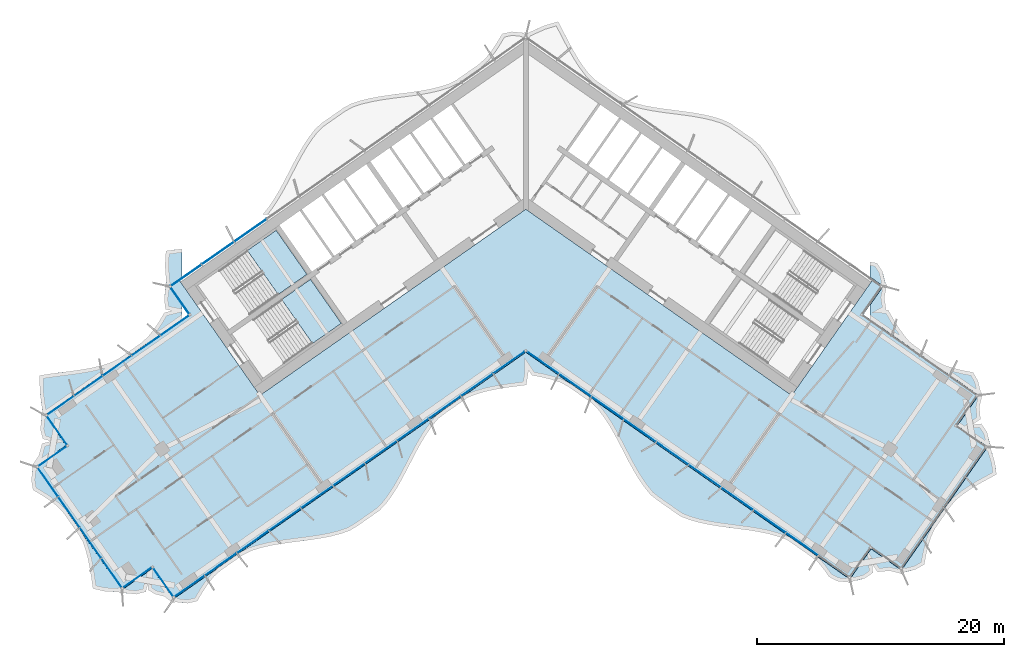
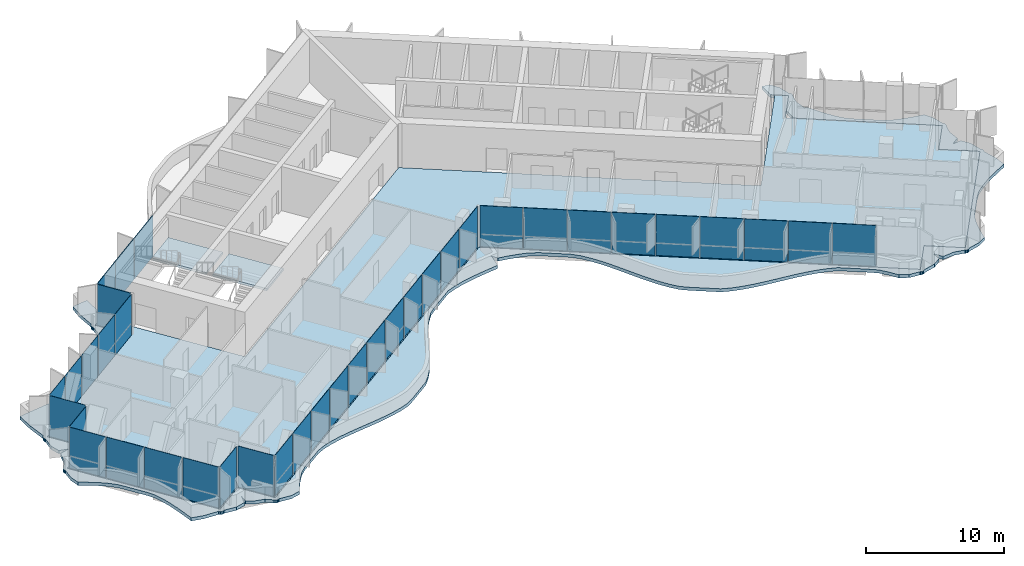
# One storey, part 10 of 21: 37 plates, 4 slabs, 4 elements without a shape of their own.
"""IFC4 building model written with IfcOpenShell, lengths in metres."""

from ifc_helpers import new_model, si_unit, direction, frame, origin, origin_2d, place, context, subcontext, project, spatial, polyline, rectangle, outline, extrude, material, layer, layer_set, type_object, element, aggregate, save


model = new_model("IFC4")

# Units and contexts
model_context = context("Model", 3, precision=1e-05, world=origin(), true_north=direction((0.0, 1.0)))
body_context = subcontext(model_context, "Body", "Model", "MODEL_VIEW")
ifc_project = project(units=[si_unit("LENGTHUNIT", "METRE"), si_unit("AREAUNIT", "SQUARE_METRE"), si_unit("VOLUMEUNIT", "CUBIC_METRE"), si_unit("PLANEANGLEUNIT", "RADIAN"), si_unit("MASSUNIT", "GRAM", prefix="KILO")], contexts=[model_context])

# Site, building, storey
site_placement = place(None, origin())
site = spatial("IfcSite", under=ifc_project, at=site_placement, CompositionType="ELEMENT")
building_placement = place(site_placement, origin())
building = spatial("IfcBuilding", under=site, at=building_placement, Name="Tel Ilan Convention Tower", CompositionType="ELEMENT")
storey_placement = place(building_placement, frame((0.0, 0.0, 163.199951171875)))
storey = spatial("IfcBuildingStorey", under=building, at=storey_placement, Name="L37", CompositionType="ELEMENT", Elevation=163.199951171875)

# Curtain wall, plates
ifc_material_1 = material(Name="Aluminium, bronze anodised", Category="aluminium")
curtain_wall_type_1 = type_object("IfcCurtainWallType", Name="CW4 STICK CURTAIN WALL, OFFICE TINTED GLASS", PredefinedType="NOTDEFINED", material=ifc_material_1)
curtain_wall_1_placement = place(storey_placement, origin())
curtain_wall_1 = element("IfcCurtainWall", 1, at=curtain_wall_1_placement, inside=storey, type_object=curtain_wall_type_1, Name="Curtain wall CW4-29.02", PredefinedType="NOTDEFINED")
ifc_material_2 = material(Name="Glass, bronze tinted, two-ply", Category="glass")
ifc_layer_1 = layer(ifc_material_2, 0.028076171875)
ifc_layer_set_1 = layer_set([ifc_layer_1], Name="CW GLASS PANEL 28")
plate_type_1 = type_object("IfcPlateType", Name="CW GLASS PANEL 28", PredefinedType="CURTAIN_PANEL", material=ifc_layer_set_1)
plate_1_placement = place(storey_placement, frame((-28.44677734375, -10.640625, 0.0), z_axis=(0.0, 0.0, 1.0), x_axis=(-0.819152044289, -0.573576436351, 0.0)))
plate_1 = element("IfcPlate", 2, at=plate_1_placement, type_object=plate_type_1, Name="Glass panel", PredefinedType="CURTAIN_PANEL", context=body_context, shape_type="SweptSolid", body=[
    extrude(rectangle(XDim=2.80908203125, YDim=0.028076171875, at=origin_2d()), origin(), (0.0, 0.0, 1.0), 3.6201171875),
])
plate_2_placement = place(storey_placement, frame((-30.784912109375, -12.278076171875, 0.0), z_axis=(0.0, 0.0, 1.0), x_axis=(-0.819152044289, -0.573576436351, 0.0)))
plate_2 = element("IfcPlate", 3, at=plate_2_placement, type_object=plate_type_1, Name="Glass panel", PredefinedType="CURTAIN_PANEL", context=body_context, shape_type="SweptSolid", body=[
    extrude(rectangle(XDim=2.780029296875, YDim=0.028076171875, at=origin_2d()), origin(), (0.0, 0.0, 1.0), 3.6201171875),
])
plate_3_placement = place(storey_placement, frame((-33.111328125, -13.906982421875, 0.0), z_axis=(0.0, 0.0, 1.0), x_axis=(-0.819152044289, -0.573576436351, 0.0)))
plate_3 = element("IfcPlate", 4, at=plate_3_placement, type_object=plate_type_1, Name="Glass panel", PredefinedType="CURTAIN_PANEL", context=body_context, shape_type="SweptSolid", body=[
    extrude(rectangle(XDim=2.780029296875, YDim=0.028076171875, at=origin_2d()), origin(), (0.0, 0.0, 1.0), 3.6201171875),
])
plate_4_placement = place(storey_placement, frame((-35.437744140625, -15.535888671875, 0.0), z_axis=(0.0, 0.0, 1.0), x_axis=(-0.819152044289, -0.573576436351, 0.0)))
plate_4 = element("IfcPlate", 5, at=plate_4_placement, type_object=plate_type_1, Name="Glass panel", PredefinedType="CURTAIN_PANEL", context=body_context, shape_type="SweptSolid", body=[
    extrude(rectangle(XDim=2.780029296875, YDim=0.028076171875, at=origin_2d()), origin(), (0.0, 0.0, 1.0), 3.6201171875),
])
plate_5_placement = place(storey_placement, frame((-37.7255859375, -17.137939453125, 0.0), z_axis=(0.0, 0.0, 1.0), x_axis=(-0.819152044289, -0.573576436351, 0.0)))
plate_5 = element("IfcPlate", 6, at=plate_5_placement, type_object=plate_type_1, Name="Glass panel", PredefinedType="CURTAIN_PANEL", context=body_context, shape_type="SweptSolid", body=[
    extrude(rectangle(XDim=2.68603515625, YDim=0.028076171875, at=origin_2d()), origin(), (0.0, 0.0, 1.0), 3.6201171875),
])
plate_6_placement = place(storey_placement, frame((-38.007080078125, -19.119140625, 0.0), z_axis=(0.0, 0.0, 1.0), x_axis=(0.573576436351, -0.819152044289, 0.0)))
plate_6 = element("IfcPlate", 7, at=plate_6_placement, type_object=plate_type_1, Name="Glass panel", PredefinedType="CURTAIN_PANEL", context=body_context, shape_type="SweptSolid", body=[
    extrude(rectangle(XDim=2.875, YDim=0.028076171875, at=origin_2d()), origin(), (0.0, 0.0, 1.0), 3.6201171875),
])
plate_7_placement = place(storey_placement, frame((-38.385009765625, -21.261962890625, 0.0), z_axis=(0.0, 0.0, 1.0), x_axis=(-0.819152044289, -0.573576436351, 0.0)))
plate_7 = element("IfcPlate", 8, at=plate_7_placement, type_object=plate_type_1, Name="Glass panel", PredefinedType="CURTAIN_PANEL", context=body_context, shape_type="SweptSolid", body=[
    extrude(rectangle(XDim=2.875, YDim=0.028076171875, at=origin_2d()), origin(), (0.0, 0.0, 1.0), 3.6201171875),
])
plate_8_placement = place(storey_placement, frame((-38.73779296875, -23.305908203125, 0.0), z_axis=(0.0, 0.0, 1.0), x_axis=(0.573576436351, -0.819152044289, 0.0)))
plate_8 = element("IfcPlate", 9, at=plate_8_placement, type_object=plate_type_1, Name="Glass panel", PredefinedType="CURTAIN_PANEL", context=body_context, shape_type="SweptSolid", body=[
    extrude(rectangle(XDim=2.89599609375, YDim=0.028076171875, at=origin_2d()), origin(), (0.0, 0.0, 1.0), 3.6201171875),
])
plate_9_placement = place(storey_placement, frame((-37.015380859375, -25.765869140625, 0.0), z_axis=(0.0, 0.0, 1.0), x_axis=(0.573576436351, -0.819152044289, 0.0)))
plate_9 = element("IfcPlate", 10, at=plate_9_placement, type_object=plate_type_1, Name="Glass panel", PredefinedType="CURTAIN_PANEL", context=body_context, shape_type="SweptSolid", body=[
    extrude(rectangle(XDim=2.989990234375, YDim=0.028076171875, at=origin_2d()), origin(), (0.0, 0.0, 1.0), 3.6201171875),
])
plate_10_placement = place(storey_placement, frame((-35.26611328125, -28.264404296875, 0.0), z_axis=(0.0, 0.0, 1.0), x_axis=(0.573576436351, -0.819152044289, 0.0)))
plate_10 = element("IfcPlate", 11, at=plate_10_placement, type_object=plate_type_1, Name="Glass panel", PredefinedType="CURTAIN_PANEL", context=body_context, shape_type="SweptSolid", body=[
    extrude(rectangle(XDim=2.989990234375, YDim=0.028076171875, at=origin_2d()), origin(), (0.0, 0.0, 1.0), 3.6201171875),
])
plate_11_placement = place(storey_placement, frame((-33.543701171875, -30.72412109375, 0.0), z_axis=(0.0, 0.0, 1.0), x_axis=(0.573576436351, -0.819152044289, 0.0)))
plate_11 = element("IfcPlate", 12, at=plate_11_placement, type_object=plate_type_1, Name="Glass panel", PredefinedType="CURTAIN_PANEL", context=body_context, shape_type="SweptSolid", body=[
    extrude(rectangle(XDim=2.89599609375, YDim=0.028076171875, at=origin_2d()), origin(), (0.0, 0.0, 1.0), 3.6201171875),
])
plate_12_placement = place(storey_placement, frame((-31.502197265625, -31.091796875, 0.0), z_axis=(0.0, 0.0, 1.0), x_axis=(0.819152044289, 0.573576436351, 0.0)))
plate_12 = element("IfcPlate", 13, at=plate_12_placement, type_object=plate_type_1, Name="Glass panel", PredefinedType="CURTAIN_PANEL", context=body_context, shape_type="SweptSolid", body=[
    extrude(rectangle(XDim=2.875, YDim=0.028076171875, at=origin_2d()), origin(), (0.0, 0.0, 1.0), 3.6201171875),
])
plate_13_placement = place(storey_placement, frame((-29.359375, -31.469482421875, 0.0), z_axis=(0.0, 0.0, 1.0), x_axis=(0.573576436351, -0.819152044289, 0.0)))
plate_13 = element("IfcPlate", 14, at=plate_13_placement, type_object=plate_type_1, Name="Glass panel", PredefinedType="CURTAIN_PANEL", context=body_context, shape_type="SweptSolid", body=[
    extrude(rectangle(XDim=2.875, YDim=0.028076171875, at=origin_2d()), origin(), (0.0, 0.0, 1.0), 3.6201171875),
])
plate_14_placement = place(storey_placement, frame((-27.26708984375, -31.78857421875, 0.0), z_axis=(0.0, 0.0, 1.0), x_axis=(0.819152044289, 0.573576436351, 0.0)))
plate_14 = element("IfcPlate", 15, at=plate_14_placement, type_object=plate_type_1, Name="Glass panel", PredefinedType="CURTAIN_PANEL", context=body_context, shape_type="SweptSolid", body=[
    extrude(rectangle(XDim=3.013916015625, YDim=0.028076171875, at=origin_2d()), origin(), (0.0, 0.0, 1.0), 3.6201171875),
])
plate_15_placement = place(storey_placement, frame((-24.71044921875, -29.99853515625, 0.0), z_axis=(0.0, 0.0, 1.0), x_axis=(0.819152044289, 0.573576436351, 0.0)))
plate_15 = element("IfcPlate", 16, at=plate_15_placement, type_object=plate_type_1, Name="Glass panel", PredefinedType="CURTAIN_PANEL", context=body_context, shape_type="SweptSolid", body=[
    extrude(rectangle(XDim=3.10791015625, YDim=0.028076171875, at=origin_2d()), origin(), (0.0, 0.0, 1.0), 3.6201171875),
])
plate_16_placement = place(storey_placement, frame((-22.115478515625, -28.181396484375, 0.0), z_axis=(0.0, 0.0, 1.0), x_axis=(0.819152044289, 0.573576436351, 0.0)))
plate_16 = element("IfcPlate", 17, at=plate_16_placement, type_object=plate_type_1, Name="Glass panel", PredefinedType="CURTAIN_PANEL", context=body_context, shape_type="SweptSolid", body=[
    extrude(rectangle(XDim=3.10791015625, YDim=0.028076171875, at=origin_2d()), origin(), (0.0, 0.0, 1.0), 3.6201171875),
])
plate_17_placement = place(storey_placement, frame((-19.520263671875, -26.3642578125, 0.0), z_axis=(0.0, 0.0, 1.0), x_axis=(0.819152044289, 0.573576436351, 0.0)))
plate_17 = element("IfcPlate", 18, at=plate_17_placement, type_object=plate_type_1, Name="Glass panel", PredefinedType="CURTAIN_PANEL", context=body_context, shape_type="SweptSolid", body=[
    extrude(rectangle(XDim=3.10791015625, YDim=0.028076171875, at=origin_2d()), origin(), (0.0, 0.0, 1.0), 3.6201171875),
])
plate_18_placement = place(storey_placement, frame((-16.92529296875, -24.54736328125, 0.0), z_axis=(0.0, 0.0, 1.0), x_axis=(0.819152044289, 0.573576436351, 0.0)))
plate_18 = element("IfcPlate", 19, at=plate_18_placement, type_object=plate_type_1, Name="Glass panel", PredefinedType="CURTAIN_PANEL", context=body_context, shape_type="SweptSolid", body=[
    extrude(rectangle(XDim=3.10791015625, YDim=0.028076171875, at=origin_2d()), origin(), (0.0, 0.0, 1.0), 3.6201171875),
])
plate_19_placement = place(storey_placement, frame((-14.330078125, -22.730224609375, 0.0), z_axis=(0.0, 0.0, 1.0), x_axis=(0.819152044289, 0.573576436351, 0.0)))
plate_19 = element("IfcPlate", 20, at=plate_19_placement, type_object=plate_type_1, Name="Glass panel", PredefinedType="CURTAIN_PANEL", context=body_context, shape_type="SweptSolid", body=[
    extrude(rectangle(XDim=3.10791015625, YDim=0.028076171875, at=origin_2d()), origin(), (0.0, 0.0, 1.0), 3.6201171875),
])
plate_20_placement = place(storey_placement, frame((-11.735107421875, -20.9130859375, 0.0), z_axis=(0.0, 0.0, 1.0), x_axis=(0.819152044289, 0.573576436351, 0.0)))
plate_20 = element("IfcPlate", 21, at=plate_20_placement, type_object=plate_type_1, Name="Glass panel", PredefinedType="CURTAIN_PANEL", context=body_context, shape_type="SweptSolid", body=[
    extrude(rectangle(XDim=3.10791015625, YDim=0.028076171875, at=origin_2d()), origin(), (0.0, 0.0, 1.0), 3.6201171875),
])
plate_21_placement = place(storey_placement, frame((-9.14013671875, -19.095947265625, 0.0), z_axis=(0.0, 0.0, 1.0), x_axis=(0.819152044289, 0.573576436351, 0.0)))
plate_21 = element("IfcPlate", 22, at=plate_21_placement, type_object=plate_type_1, Name="Glass panel", PredefinedType="CURTAIN_PANEL", context=body_context, shape_type="SweptSolid", body=[
    extrude(rectangle(XDim=3.10791015625, YDim=0.028076171875, at=origin_2d()), origin(), (0.0, 0.0, 1.0), 3.6201171875),
])
plate_22_placement = place(storey_placement, frame((-6.544921875, -17.27880859375, 0.0), z_axis=(0.0, 0.0, 1.0), x_axis=(0.819152044289, 0.573576436351, 0.0)))
plate_22 = element("IfcPlate", 23, at=plate_22_placement, type_object=plate_type_1, Name="Glass panel", PredefinedType="CURTAIN_PANEL", context=body_context, shape_type="SweptSolid", body=[
    extrude(rectangle(XDim=3.10791015625, YDim=0.028076171875, at=origin_2d()), origin(), (0.0, 0.0, 1.0), 3.6201171875),
])
plate_23_placement = place(storey_placement, frame((-3.949951171875, -15.4619140625, 0.0), z_axis=(0.0, 0.0, 1.0), x_axis=(0.819152044289, 0.573576436351, 0.0)))
plate_23 = element("IfcPlate", 24, at=plate_23_placement, type_object=plate_type_1, Name="Glass panel", PredefinedType="CURTAIN_PANEL", context=body_context, shape_type="SweptSolid", body=[
    extrude(rectangle(XDim=3.10791015625, YDim=0.028076171875, at=origin_2d()), origin(), (0.0, 0.0, 1.0), 3.6201171875),
])
plate_24_placement = place(storey_placement, frame((-1.355224609375, -13.64501953125, 0.0), z_axis=(0.0, 0.0, 1.0), x_axis=(0.819152044289, 0.573576436351, 0.0)))
plate_24 = element("IfcPlate", 25, at=plate_24_placement, type_object=plate_type_1, Name="Glass panel", PredefinedType="CURTAIN_PANEL", context=body_context, shape_type="SweptSolid", body=[
    extrude(rectangle(XDim=3.10693359375, YDim=0.028076171875, at=origin_2d()), origin(), (0.0, 0.0, 1.0), 3.6201171875),
])
plate_25_placement = place(storey_placement, frame((1.3818359375, -13.66357421875, 0.0), z_axis=(0.0, 0.0, 1.0), x_axis=(0.819152044289, -0.573576436351, 0.0)))
plate_25 = element("IfcPlate", 26, at=plate_25_placement, type_object=plate_type_1, Name="Glass panel", PredefinedType="CURTAIN_PANEL", context=body_context, shape_type="SweptSolid", body=[
    extrude(rectangle(XDim=3.11572265625, YDim=0.028076171875, at=origin_2d()), origin(), (0.0, 0.0, 1.0), 3.6201171875),
])
plate_26_placement = place(storey_placement, frame((3.9951171875, -15.493408203125, 0.0), z_axis=(0.0, 0.0, 1.0), x_axis=(0.819152044289, -0.573576436351, 0.0)))
plate_26 = element("IfcPlate", 27, at=plate_26_placement, type_object=plate_type_1, Name="Glass panel", PredefinedType="CURTAIN_PANEL", context=body_context, shape_type="SweptSolid", body=[
    extrude(rectangle(XDim=3.144775390625, YDim=0.028076171875, at=origin_2d()), origin(), (0.0, 0.0, 1.0), 3.6201171875),
])
plate_27_placement = place(storey_placement, frame((6.620361328125, -17.331787109375, 0.0), z_axis=(0.0, 0.0, 1.0), x_axis=(0.819152044289, -0.573576436351, 0.0)))
plate_27 = element("IfcPlate", 28, at=plate_27_placement, type_object=plate_type_1, Name="Glass panel", PredefinedType="CURTAIN_PANEL", context=body_context, shape_type="SweptSolid", body=[
    extrude(rectangle(XDim=3.144775390625, YDim=0.028076171875, at=origin_2d()), origin(), (0.0, 0.0, 1.0), 3.6201171875),
])
plate_28_placement = place(storey_placement, frame((9.24560546875, -19.169921875, 0.0), z_axis=(0.0, 0.0, 1.0), x_axis=(0.819152044289, -0.573576436351, 0.0)))
plate_28 = element("IfcPlate", 29, at=plate_28_placement, type_object=plate_type_1, Name="Glass panel", PredefinedType="CURTAIN_PANEL", context=body_context, shape_type="SweptSolid", body=[
    extrude(rectangle(XDim=3.144775390625, YDim=0.028076171875, at=origin_2d()), origin(), (0.0, 0.0, 1.0), 3.6201171875),
])
plate_29_placement = place(storey_placement, frame((11.870849609375, -21.008056640625, 0.0), z_axis=(0.0, 0.0, 1.0), x_axis=(0.819152044289, -0.573576436351, 0.0)))
plate_29 = element("IfcPlate", 30, at=plate_29_placement, type_object=plate_type_1, Name="Glass panel", PredefinedType="CURTAIN_PANEL", context=body_context, shape_type="SweptSolid", body=[
    extrude(rectangle(XDim=3.144775390625, YDim=0.028076171875, at=origin_2d()), origin(), (0.0, 0.0, 1.0), 3.6201171875),
])
plate_30_placement = place(storey_placement, frame((14.49609375, -22.84619140625, 0.0), z_axis=(0.0, 0.0, 1.0), x_axis=(0.819152044289, -0.573576436351, 0.0)))
plate_30 = element("IfcPlate", 31, at=plate_30_placement, type_object=plate_type_1, Name="Glass panel", PredefinedType="CURTAIN_PANEL", context=body_context, shape_type="SweptSolid", body=[
    extrude(rectangle(XDim=3.144775390625, YDim=0.028076171875, at=origin_2d()), origin(), (0.0, 0.0, 1.0), 3.6201171875),
])
plate_31_placement = place(storey_placement, frame((17.12109375, -24.684326171875, 0.0), z_axis=(0.0, 0.0, 1.0), x_axis=(0.819152044289, -0.573576436351, 0.0)))
plate_31 = element("IfcPlate", 32, at=plate_31_placement, type_object=plate_type_1, Name="Glass panel", PredefinedType="CURTAIN_PANEL", context=body_context, shape_type="SweptSolid", body=[
    extrude(rectangle(XDim=3.144775390625, YDim=0.028076171875, at=origin_2d()), origin(), (0.0, 0.0, 1.0), 3.6201171875),
])
plate_32_placement = place(storey_placement, frame((19.746337890625, -26.522705078125, 0.0), z_axis=(0.0, 0.0, 1.0), x_axis=(0.819152044289, -0.573576436351, 0.0)))
plate_32 = element("IfcPlate", 33, at=plate_32_placement, type_object=plate_type_1, Name="Glass panel", PredefinedType="CURTAIN_PANEL", context=body_context, shape_type="SweptSolid", body=[
    extrude(rectangle(XDim=3.144775390625, YDim=0.028076171875, at=origin_2d()), origin(), (0.0, 0.0, 1.0), 3.6201171875),
])
plate_33_placement = place(storey_placement, frame((22.37158203125, -28.36083984375, 0.0), z_axis=(0.0, 0.0, 1.0), x_axis=(0.819152044289, -0.573576436351, 0.0)))
plate_33 = element("IfcPlate", 34, at=plate_33_placement, type_object=plate_type_1, Name="Glass panel", PredefinedType="CURTAIN_PANEL", context=body_context, shape_type="SweptSolid", body=[
    extrude(rectangle(XDim=3.144775390625, YDim=0.028076171875, at=origin_2d()), origin(), (0.0, 0.0, 1.0), 3.6201171875),
])
aggregate(curtain_wall_1, [plate_1, plate_2, plate_3, plate_4, plate_5, plate_6, plate_7, plate_8, plate_9, plate_10, plate_11, plate_12, plate_13, plate_14, plate_15, plate_16, plate_17, plate_18, plate_19, plate_20, plate_21, plate_22, plate_23, plate_24, plate_25, plate_26, plate_27, plate_28, plate_29, plate_30, plate_31, plate_32, plate_33])

ifc_material_3 = material(Name="Aluminium, bronze anodised", Category="aluminium")
curtain_wall_type_2 = type_object("IfcCurtainWallType", Name="CW2 STICK CURTAIN WALL, SPANDREL PANELS", PredefinedType="NOTDEFINED", material=ifc_material_3)
curtain_wall_2_placement = place(storey_placement, origin())
curtain_wall_2 = element("IfcCurtainWall", 35, at=curtain_wall_2_placement, inside=storey, type_object=curtain_wall_type_2, Name="Curtain wall CW2-29.01", PredefinedType="NOTDEFINED")
ifc_material_4 = material(Name="Aluminium composite panel, bronze anodised", Category="aluminium")
ifc_layer_2 = layer(ifc_material_4, 0.06005859375)
ifc_layer_set_2 = layer_set([ifc_layer_2], Name="CW SPANDREL PANEL 60")
plate_type_2 = type_object("IfcPlateType", Name="CW SPANDREL PANEL 60", PredefinedType="CURTAIN_PANEL", material=ifc_layer_set_2)
plate_34_placement = place(storey_placement, frame((-22.31982421875, -2.9326171875, 0.0), z_axis=(0.0, 0.0, 1.0), x_axis=(-0.819152044289, -0.573576436351, 0.0)))
plate_34 = element("IfcPlate", 36, at=plate_34_placement, type_object=plate_type_2, Name="Spandrel panel", PredefinedType="CURTAIN_PANEL", context=body_context, shape_type="SweptSolid", body=[
    extrude(rectangle(XDim=3.15380859375, YDim=0.06005859375, at=origin_2d()), origin(), (0.0, 0.0, 1.0), 3.6201171875),
])
plate_35_placement = place(storey_placement, frame((-24.95263671875, -4.77587890625, 0.0), z_axis=(0.0, 0.0, 1.0), x_axis=(-0.819152044289, -0.573576436351, 0.0)))
plate_35 = element("IfcPlate", 37, at=plate_35_placement, type_object=plate_type_2, Name="Spandrel panel", PredefinedType="CURTAIN_PANEL", context=body_context, shape_type="SweptSolid", body=[
    extrude(rectangle(XDim=3.15380859375, YDim=0.06005859375, at=origin_2d()), origin(), (0.0, 0.0, 1.0), 3.6201171875),
])
plate_36_placement = place(storey_placement, frame((-27.5400390625, -6.587646484375, 0.0), z_axis=(0.0, 0.0, 1.0), x_axis=(-0.819152044289, -0.573576436351, 0.0)))
plate_36 = element("IfcPlate", 38, at=plate_36_placement, type_object=plate_type_2, Name="Spandrel panel", PredefinedType="CURTAIN_PANEL", context=body_context, shape_type="SweptSolid", body=[
    extrude(rectangle(XDim=3.0439453125, YDim=0.06005859375, at=origin_2d()), origin(), (0.0, 0.0, 1.0), 3.6201171875),
])
plate_37_placement = place(storey_placement, frame((-28.033935546875, -8.60546875, 0.0), z_axis=(0.0, 0.0, 1.0), x_axis=(0.573576436351, -0.819152044289, 0.0)))
plate_37 = element("IfcPlate", 39, at=plate_37_placement, type_object=plate_type_2, Name="Spandrel panel", PredefinedType="CURTAIN_PANEL", context=body_context, shape_type="SweptSolid", body=[
    extrude(rectangle(XDim=2.658935546875, YDim=0.06005859375, at=origin_2d()), origin(), (0.0, 0.0, 1.0), 3.6201171875),
])
aggregate(curtain_wall_2, [plate_34, plate_35, plate_36, plate_37])

# Stair, slab
ifc_material_5 = material(Name="Concrete C40/50", Category="concrete")
stair_type = type_object("IfcStairType", Name="Pressurised Exit Stair 22 risers 177 mm", PredefinedType="HALF_TURN_STAIR", material=ifc_material_5)
stair_1_placement = place(storey_placement, origin())
stair_1 = element("IfcStair", 40, at=stair_1_placement, inside=storey, type_object=stair_type, Name="L37 Pressurised Stair S1", PredefinedType="HALF_TURN_STAIR")
ifc_material_6 = material(Name="Concrete C40/50", Category="concrete")
ifc_layer_3 = layer(ifc_material_6, 0.199951171875)
ifc_layer_set_3 = layer_set([ifc_layer_3], Name="Concrete Stair Landing 200 mm C40/50")
slab_type_1 = type_object("IfcSlabType", Name="Concrete Stair Landing 200 mm", PredefinedType="LANDING", material=ifc_layer_set_3)
slab_1_placement = place(storey_placement, frame((0.0, 0.0, 1.75)))
slab_1 = element("IfcSlab", 41, at=slab_1_placement, type_object=slab_type_1, Name="S1 landing 1", PredefinedType="LANDING", context=body_context, shape_type="SweptSolid", body=[
    extrude(outline(polyline([(-20.066650390625, -8.130126953125), (-17.7314453125, -6.494873046875), (-20.226318359375, -2.931640625), (-22.561767578125, -4.566650390625), (-20.066650390625, -8.130126953125)])), origin(), (0.0, 0.0, 1.0), 0.199951171875),
])
aggregate(stair_1, [slab_1])

stair_2_placement = place(storey_placement, origin())
stair_2 = element("IfcStair", 42, at=stair_2_placement, inside=storey, type_object=stair_type, Name="L37 Pressurised Stair S2", PredefinedType="HALF_TURN_STAIR")
slab_2_placement = place(storey_placement, frame((0.0, 0.0, 1.75)))
slab_2 = element("IfcSlab", 43, at=slab_2_placement, type_object=slab_type_1, Name="S2 landing 1", PredefinedType="LANDING", context=body_context, shape_type="SweptSolid", body=[
    extrude(outline(polyline([(-17.28466796875, -12.10302734375), (-14.949462890625, -10.4677734375), (-17.444580078125, -6.904541015625), (-19.77978515625, -8.53955078125), (-17.28466796875, -12.10302734375)])), origin(), (0.0, 0.0, 1.0), 0.199951171875),
])
aggregate(stair_2, [slab_2])

# Slabs
ifc_material_7 = material(Name="Concrete C40/50", Category="concrete")
ifc_layer_4 = layer(ifc_material_7, 0.280029296875)
ifc_layer_set_4 = layer_set([ifc_layer_4], Name="Edge Ledge Slab 280 mm C40/50")
slab_type_2 = type_object("IfcSlabType", Name="Edge Ledge Slab 280 mm C40/50", PredefinedType="FLOOR", material=ifc_layer_set_4)
slab_3_placement = place(storey_placement, frame((0.0, 0.0, -0.280029296875)))
element("IfcSlab", 44, at=slab_3_placement, inside=storey, type_object=slab_type_2, Name="L37 edge ledge 1", PredefinedType="FLOOR", context=body_context, shape_type="SweptSolid", body=[
    extrude(outline(polyline([(-31.562744140625, -32.420166015625), (-32.5517578125, -32.31494140625), (-32.554931640625, -32.310302734375), (-32.60888671875, -32.346435546875), (-32.723876953125, -32.369384765625), (-32.838623046875, -32.346435546875), (-32.93603515625, -32.281494140625), (-32.96484375, -32.238037109375), (-32.969482421875, -32.241455078125), (-34.1298828125, -32.177734375), (-35.07666015625, -31.964599609375), (-35.189697265625, -31.16748046875), (-35.312744140625, -30.377685546875), (-35.46484375, -29.608154296875), (-35.656982421875, -28.86669921875), (-35.8984375, -28.15966796875), (-36.2626953125, -27.53857421875), (-37.49755859375, -25.77490234375), (-38.006591796875, -25.25537109375), (-38.60546875, -24.798583984375), (-39.250732421875, -24.374267578125), (-39.92822265625, -23.97265625), (-40.0625, -23.190673828125), (-39.96728515625, -22.247802734375), (-39.962646484375, -22.244384765625), (-39.99853515625, -22.1904296875), (-40.021484375, -22.07568359375), (-39.99853515625, -21.960693359375), (-39.93359375, -21.863525390625), (-39.890380859375, -21.834716796875), (-39.8935546875, -21.829833984375), (-39.44873046875, -21.157470703125), (-39.19921875, -20.20654296875), (-38.452392578125, -20.01123046875), (-39.13330078125, -19.83251953125), (-39.33544921875, -19.05859375), (-39.23046875, -18.069580078125), (-39.225830078125, -18.06640625), (-39.261962890625, -18.01220703125), (-39.284912109375, -17.8974609375), (-39.261962890625, -17.78271484375), (-39.197021484375, -17.685302734375), (-39.153564453125, -17.656494140625), (-39.15673828125, -17.651611328125), (-39.369873046875, -16.044677734375), (-39.404052734375, -14.692626953125), (-38.58203125, -14.563720703125), (-37.746826171875, -14.453369140625), (-36.90869140625, -14.34716796875), (-36.078125, -14.23046875), (-35.2646484375, -14.089111328125), (-34.477783203125, -13.91015625), (-33.72509765625, -13.68212890625), (-33.03466796875, -13.364990234375), (-31.197998046875, -12.0791015625), (-30.631591796875, -11.585205078125), (-30.14892578125, -10.971435546875), (-29.70263671875, -10.305908203125), (-29.284912109375, -9.59912109375), (-28.654296875, -9.439208984375), (-29.194091796875, -9.332763671875), (-29.29443359375, -8.548583984375), (-29.20458984375, -7.631103515625), (-29.199951171875, -7.6279296875), (-29.236083984375, -7.57373046875), (-29.2587890625, -7.458984375), (-29.236083984375, -7.34423828125), (-29.1708984375, -7.246826171875), (-29.127685546875, -7.218017578125), (-29.130859375, -7.21337890625), (-29.231689453125, -5.78515625), (-29.161865234375, -4.60107421875), (-28.33935546875, -4.49169921875), (-27.875, -4.4326171875), (-27.875, -6.7001953125), (-28.958740234375, -7.458984375), (-27.875, -9.007080078125), (-27.875, -10.1181640625), (-27.882568359375, -10.12353515625), (-38.74365234375, -17.728515625), (-38.98486328125, -17.8974609375), (-37.263916015625, -20.35498046875), (-38.2880859375, -21.072021484375), (-39.48046875, -21.90673828125), (-39.721435546875, -22.07568359375), (-32.723876953125, -32.0693359375), (-30.266357421875, -30.3486328125), (-29.57861328125, -31.3310546875), (-29.53759765625, -31.38916015625), (-28.714599609375, -32.56494140625), (-28.545654296875, -32.805908203125), (0.0, -12.818115234375), (26.251953125, -31.199951171875), (27.972900390625, -28.74267578125), (30.43017578125, -30.46337890625), (37.427978515625, -20.469482421875), (37.186767578125, -20.30078125), (36.19921875, -19.609375), (34.970458984375, -18.748779296875), (36.691162109375, -16.29150390625), (36.449951171875, -16.12255859375), (31.117919921875, -12.38916015625), (27.875, -10.1181640625), (27.875, -9.007080078125), (28.958740234375, -7.458984375), (27.875, -6.7001953125), (27.875, -5.485595703125), (28.465576171875, -5.595458984375), (28.894287109375, -6.267333984375), (29.130859375, -7.21337890625), (29.127685546875, -7.218017578125), (29.1708984375, -7.246826171875), (29.236083984375, -7.34423828125), (29.2587890625, -7.458984375), (29.236083984375, -7.57373046875), (29.199951171875, -7.6279296875), (29.20458984375, -7.631103515625), (29.044921875, -8.373779296875), (29.194091796875, -9.332763671875), (29.132080078125, -9.36474609375), (29.356201171875, -9.3759765625), (29.74560546875, -10.06201171875), (30.151123046875, -10.72509765625), (30.5849609375, -11.347900390625), (31.052978515625, -11.92138671875), (31.6103515625, -12.36767578125), (33.361328125, -13.59375), (34.017333984375, -13.899169921875), (34.732421875, -14.1201171875), (35.47900390625, -14.2958984375), (36.246826171875, -14.44140625), (36.63134765625, -15.134521484375), (36.86328125, -16.045654296875), (36.85986328125, -16.05029296875), (36.9033203125, -16.079345703125), (36.96826171875, -16.176513671875), (36.9912109375, -16.29150390625), (36.96826171875, -16.40625), (36.93212890625, -16.460205078125), (36.93701171875, -16.46337890625), (36.748779296875, -17.24755859375), (36.839599609375, -18.2265625), (36.20458984375, -18.665283203125), (36.905517578125, -18.6005859375), (37.3603515625, -19.258544921875), (37.599853515625, -20.223876953125), (37.5966796875, -20.228515625), (37.639892578125, -20.257568359375), (37.705078125, -20.354736328125), (37.727783203125, -20.469482421875), (37.705078125, -20.58447265625), (37.6689453125, -20.638427734375), (37.673583984375, -20.6416015625), (38.010498046875, -21.753662109375), (38.13427734375, -22.71630859375), (37.423828125, -23.09521484375), (36.7236328125, -23.48095703125), (36.052734375, -23.88720703125), (35.421630859375, -24.3212890625), (34.83984375, -24.7900390625), (34.380615234375, -25.344482421875), (33.145751953125, -27.108154296875), (32.83154296875, -27.764404296875), (32.607177734375, -28.4833984375), (32.42919921875, -29.234619140625), (32.28369140625, -30.0087890625), (31.594482421875, -30.402587890625), (30.676025390625, -30.635498046875), (30.67138671875, -30.632080078125), (30.642333984375, -30.67529296875), (30.544921875, -30.740478515625), (30.43017578125, -30.76318359375), (30.3154296875, -30.740478515625), (30.261474609375, -30.704345703125), (30.25830078125, -30.708984375), (29.47412109375, -30.52099609375), (28.4951171875, -30.61181640625), (28.056396484375, -29.976806640625), (28.12109375, -30.677490234375), (27.463134765625, -31.132568359375), (26.497802734375, -31.3720703125), (26.4931640625, -31.368896484375), (26.464111328125, -31.412109375), (26.36669921875, -31.477294921875), (26.251953125, -31.5), (26.13720703125, -31.477294921875), (26.083251953125, -31.441162109375), (26.080078125, -31.44580078125), (25.2314453125, -31.358154296875), (24.565673828125, -31.009765625), (24.111328125, -30.35888671875), (23.619384765625, -29.76220703125), (23.02734375, -29.308349609375), (21.19580078125, -28.02587890625), (20.475830078125, -27.7548828125), (19.716064453125, -27.540283203125), (18.924072265625, -27.372314453125), (18.10791015625, -27.23828125), (17.27685546875, -27.1259765625), (16.44091796875, -27.0205078125), (15.610107421875, -26.9072265625), (14.794677734375, -26.7724609375), (14.003662109375, -26.602783203125), (13.245361328125, -26.386474609375), (12.530029296875, -26.108642578125), (10.698486328125, -24.826171875), (10.110107421875, -24.3671875), (9.61962890625, -23.768310546875), (9.166748046875, -23.115478515625), (8.744384765625, -22.41943359375), (8.343994140625, -21.69189453125), (7.956298828125, -20.9462890625), (7.57080078125, -20.197509765625), (7.177490234375, -19.45947265625), (6.76708984375, -18.74658203125), (6.329833984375, -18.071533203125), (5.8583984375, -17.445556640625), (5.322509765625, -16.9111328125), (3.490966796875, -15.62890625), (2.833251953125, -15.268798828125), (2.093017578125, -15.0263671875), (1.31689453125, -14.835693359375), (0.51220703125, -14.685546875), (0.201416015625, -14.22314453125), (0.2060546875, -14.40478515625), (0.04248046875, -15.464111328125), (-0.788818359375, -15.569580078125), (-1.615234375, -15.681884765625), (-2.427001953125, -15.815185546875), (-3.214599609375, -15.983154296875), (-3.97021484375, -16.19677734375), (-4.686767578125, -16.466064453125), (-6.5087890625, -17.741943359375), (-7.10009765625, -18.190185546875), (-7.59033203125, -18.782470703125), (-8.043212890625, -19.428466796875), (-8.46533203125, -20.118408203125), (-8.864990234375, -20.840087890625), (-9.25146484375, -21.580810546875), (-9.634765625, -22.326416015625), (-10.024658203125, -23.06201171875), (-10.43115234375, -23.7744140625), (-10.86279296875, -24.4501953125), (-11.327880859375, -25.078857421875), (-11.846923828125, -25.63037109375), (-13.6689453125, -26.906005859375), (-14.308837890625, -27.284912109375), (-15.039794921875, -27.53369140625), (-15.80712890625, -27.73046875), (-16.60400390625, -27.885009765625), (-17.421875, -28.009765625), (-18.251220703125, -28.117919921875), (-19.08251953125, -28.2236328125), (-19.905029296875, -28.34130859375), (-20.7099609375, -28.484619140625), (-21.48779296875, -28.666259765625), (-22.2314453125, -28.897216796875), (-22.907470703125, -29.224365234375), (-24.7294921875, -30.5), (-25.286865234375, -30.996826171875), (-25.76416015625, -31.607666015625), (-26.2060546875, -32.269287109375), (-26.6201171875, -32.970703125), (-27.396484375, -33.154296875), (-28.37353515625, -33.0517578125), (-28.376953125, -33.047119140625), (-28.430908203125, -33.083251953125), (-28.545654296875, -33.10595703125), (-28.660400390625, -33.083251953125), (-28.7578125, -33.018310546875), (-28.78662109375, -32.974853515625), (-28.79150390625, -32.97802734375), (-29.2880859375, -32.593505859375), (-30.059814453125, -32.4013671875), (-30.615234375, -32.057861328125), (-30.573974609375, -31.399658203125), (-30.788818359375, -32.2177734375), (-31.562744140625, -32.420166015625)])), origin(), (0.0, 0.0, 1.0), 0.280029296875),
])
ifc_material_8 = material(Name="Concrete C40/50", Category="concrete")
ifc_layer_5 = layer(ifc_material_8, 0.280029296875)
ifc_layer_set_5 = layer_set([ifc_layer_5], Name="Flat Plate Floor Slab 280 mm C40/50")
slab_type_3 = type_object("IfcSlabType", Name="Flat Plate Floor Slab 280 mm C40/50", PredefinedType="FLOOR", material=ifc_layer_set_5)
slab_4_placement = place(storey_placement, frame((0.0, 0.0, -0.280029296875)))
element("IfcSlab", 45, at=slab_4_placement, inside=storey, type_object=slab_type_3, Name="L37 floor slab", PredefinedType="FLOOR", context=body_context, shape_type="SweptSolid", body=[
    extrude(outline(polyline([(37.186767578125, -20.30078125), (37.427978515625, -20.469482421875), (30.43017578125, -30.46337890625), (27.972900390625, -28.74267578125), (26.251953125, -31.199951171875), (0.0, -12.818115234375), (-28.545654296875, -32.805908203125), (-28.714599609375, -32.56494140625), (-29.57861328125, -31.3310546875), (-30.266357421875, -30.3486328125), (-32.723876953125, -32.0693359375), (-39.721435546875, -22.07568359375), (-39.48046875, -21.90673828125), (-38.448486328125, -21.18408203125), (-38.2880859375, -21.072021484375), (-37.263916015625, -20.35498046875), (-38.98486328125, -17.8974609375), (-38.74365234375, -17.728515625), (-27.598388671875, -9.9248046875), (-27.352783203125, -9.752685546875), (-28.958740234375, -7.458984375), (-28.1396484375, -6.885498046875), (-21.54345703125, -16.3056640625), (0.0, -1.220703125), (21.54345703125, -16.3056640625), (28.1396484375, -6.885498046875), (28.958740234375, -7.458984375), (27.352783203125, -9.752685546875), (27.627197265625, -9.944580078125), (36.449951171875, -16.12255859375), (36.691162109375, -16.29150390625), (34.970458984375, -18.748779296875), (36.19921875, -19.609375), (36.3935546875, -19.745361328125), (37.186767578125, -20.30078125)])), origin(), (0.0, 0.0, 1.0), 0.280029296875),
])

save(model, "model.ifc")
